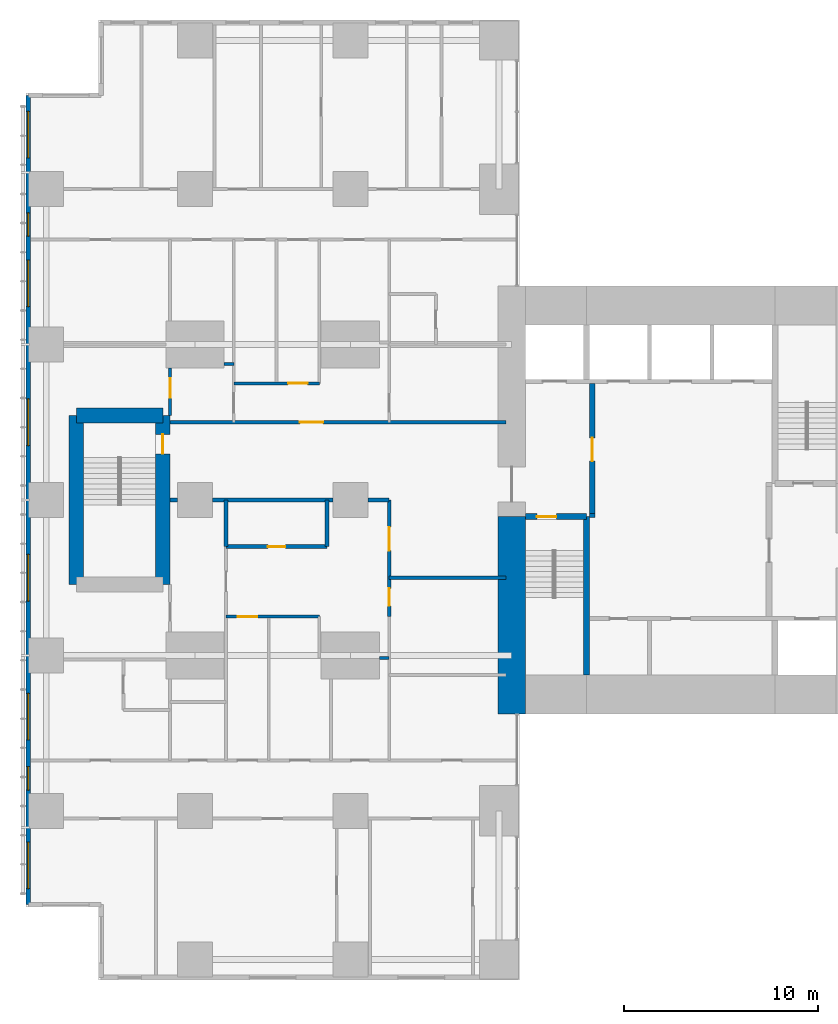
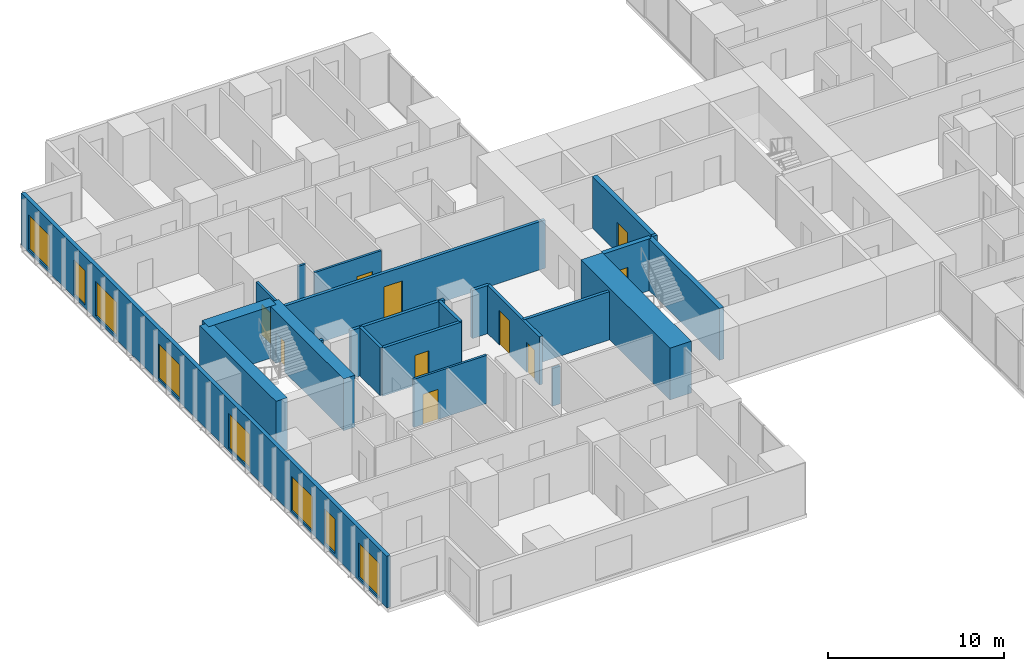
# One storey, part 13 of 20: 23 walls, 10 doors, 8 windows, 18 openings.
"""IFC4 building model written with IfcOpenShell, lengths in metres."""

from ifc_helpers import new_model, si_unit, direction, frame, frame_2d, origin, place, context, subcontext, project, spatial, rectangle, extrude, material, layer, layer_set, type_object, element, fill, save


model = new_model("IFC4")

# Units and contexts
model_context = context("Model", 3, precision=1e-05, world=origin(), true_north=direction((0.0, 1.0)))
body_context = subcontext(model_context, "Body", "Model", "MODEL_VIEW")
ifc_project = project(units=[si_unit("LENGTHUNIT", "METRE"), si_unit("AREAUNIT", "SQUARE_METRE"), si_unit("VOLUMEUNIT", "CUBIC_METRE"), si_unit("PLANEANGLEUNIT", "RADIAN"), si_unit("MASSUNIT", "GRAM", prefix="KILO")], contexts=[model_context])

# Site, building, storey
site_placement = place(None, origin())
site = spatial("IfcSite", under=ifc_project, at=site_placement, CompositionType="ELEMENT")
building_placement = place(site_placement, origin())
building = spatial("IfcBuilding", under=site, at=building_placement, Name="Cleftline Residences", CompositionType="ELEMENT")
storey_placement = place(building_placement, frame((0.0, 0.0, 185.800048828125)))
storey = spatial("IfcBuildingStorey", under=building, at=storey_placement, Name="L48", CompositionType="ELEMENT", Elevation=185.800048828125)

# Walls
ifc_material_1 = material(Name="Concrete B70", Category="concrete")
ifc_layer_1 = layer(ifc_material_1, 1.39990234375)
ifc_layer_set_1 = layer_set([ifc_layer_1], Name="CORE WALL 1400")
wall_type_1 = type_object("IfcWallType", Name="CORE WALL 1400", PredefinedType="SHEAR", material=ifc_layer_set_1)
wall_1_placement = place(storey_placement, frame((24.300048828125, 13.0, 0.0), z_axis=(0.0, 0.0, 1.0), x_axis=(0.0, 1.0, 0.0)))
element("IfcWall", 1, at=wall_1_placement, inside=storey, type_object=wall_type_1, Name="Core wall W0", PredefinedType="SHEAR", context=body_context, shape_type="SweptSolid", body=[
    extrude(rectangle(XDim=10.14990234375, YDim=1.39990234375, at=frame_2d((5.074951171875, 0.0))), origin(), (0.0, 0.0, 1.0), 3.599853515625),
])
ifc_material_2 = material(Name="Concrete B70", Category="concrete")
ifc_layer_2 = layer(ifc_material_2, 0.300048828125)
ifc_layer_set_2 = layer_set([ifc_layer_2], Name="CORE WALL 300")
wall_type_2 = type_object("IfcWallType", Name="CORE WALL 300", PredefinedType="SHEAR", material=ifc_layer_set_2)
wall_2_placement = place(storey_placement, frame((28.14990234375, 15.0, 0.0), z_axis=(0.0, 0.0, 1.0), x_axis=(0.0, 1.0, 0.0)))
element("IfcWall", 2, at=wall_2_placement, inside=storey, type_object=wall_type_2, Name="Core wall SA-E", PredefinedType="SHEAR", context=body_context, shape_type="SweptSolid", body=[
    extrude(rectangle(XDim=8.14990234375, YDim=0.300048828125, at=frame_2d((4.074951171875, 0.0))), origin(), (0.0, 0.0, 1.0), 3.599853515625),
])

# Wall, opening, door
wall_3_placement = place(storey_placement, frame((25.0, 23.14990234375, 0.0), z_axis=(0.0, 0.0, 1.0), x_axis=(1.0, 0.0, 0.0)))
wall_3 = element("IfcWall", 3, at=wall_3_placement, inside=storey, type_object=wall_type_2, Name="Core wall SA-N", PredefinedType="SHEAR", context=body_context, shape_type="SweptSolid", body=[
    extrude(rectangle(XDim=3.14990234375, YDim=0.300048828125, at=frame_2d((1.574951171875, 0.0))), origin(), (0.0, 0.0, 1.0), 3.599853515625),
])
opening_1_placement = place(wall_3_placement, frame((0.60009765625, 0.0, 0.0)))
opening_1 = element("IfcOpeningElement", 4, at=opening_1_placement, cuts=wall_3, Name="Opening D5", PredefinedType="OPENING", context=body_context, shape_type="SweptSolid", body=[
    extrude(rectangle(XDim=1.0, YDim=2.10009765625, at=frame_2d((0.5, 1.050048828125))), frame((0.0, 0.159912109375, 0.0), z_axis=(0.0, -1.0, 0.0), x_axis=(1.0, 0.0, 0.0)), (0.0, 0.0, 1.0), 0.320068359375),
])
ifc_material_3 = material(Name="Steel", Category="steel")
door_type_1 = type_object("IfcDoorType", Name="STAIR DOOR 1000X2100", OperationType="SINGLE_SWING_LEFT", PredefinedType="DOOR", material=ifc_material_3)
door_1_placement = place(opening_1_placement, origin())
door_1 = element("IfcDoor", 5, at=door_1_placement, inside=storey, type_object=door_type_1, Name="Stair A door", OperationType="SINGLE_SWING_RIGHT", OverallHeight=2.10009765625, OverallWidth=1.0, PredefinedType="DOOR", context=body_context, shape_type="SweptSolid", body=[
    extrude(rectangle(XDim=1.0, YDim=2.10009765625, at=frame_2d((0.5, 1.050048828125))), frame((0.0, 0.02490234375, 0.0), z_axis=(0.0, -1.0, 0.0), x_axis=(1.0, 0.0, 0.0)), (0.0, 0.0, 1.0), 0.050048828125),
])
fill(opening_1, door_1)

# Wall, openings, windows
ifc_material_4 = material(Name="Rendered reinforced concrete blockwork", Category="masonry")
ifc_layer_3 = layer(ifc_material_4, 0.25)
ifc_layer_set_3 = layer_set([ifc_layer_3], Name="EXTERNAL WALL 250")
wall_type_3 = type_object("IfcWallType", Name="EXTERNAL WALL 250", PredefinedType="SOLIDWALL", material=ifc_layer_set_3)
wall_4_placement = place(storey_placement, frame((-0.574951171875, 44.824951171875, 0.0), z_axis=(0.0, 0.0, 1.0), x_axis=(0.0, -1.0, 0.0)))
wall_4 = element("IfcWall", 6, at=wall_4_placement, inside=storey, type_object=wall_type_3, Name="External wall", PredefinedType="SOLIDWALL", context=body_context, shape_type="SweptSolid", body=[
    extrude(rectangle(XDim=41.64990234375, YDim=0.25, at=frame_2d((20.824951171875, 0.0))), origin(), (0.0, 0.0, 1.0), 3.599853515625),
])
opening_2_placement = place(wall_4_placement, frame((0.824951171875, 0.0, 0.199951171875)))
opening_2 = element("IfcOpeningElement", 7, at=opening_2_placement, cuts=wall_4, Name="Opening W9", PredefinedType="OPENING", context=body_context, shape_type="SweptSolid", body=[
    extrude(rectangle(XDim=2.39990234375, YDim=2.39990234375, at=frame_2d((1.199951171875, 1.199951171875))), frame((0.0, 0.135009765625, 0.0), z_axis=(0.0, -1.0, 0.0), x_axis=(1.0, 0.0, 0.0)), (0.0, 0.0, 1.0), 0.27001953125),
])
opening_3_placement = place(wall_4_placement, frame((6.050048828125, 0.0, 0.199951171875)))
opening_3 = element("IfcOpeningElement", 8, at=opening_3_placement, cuts=wall_4, Name="Opening W13", PredefinedType="OPENING", context=body_context, shape_type="SweptSolid", body=[
    extrude(rectangle(XDim=1.199951171875, YDim=2.39990234375, at=frame_2d((0.60009765625, 1.199951171875))), frame((0.0, 0.135009765625, 0.0), z_axis=(0.0, -1.0, 0.0), x_axis=(1.0, 0.0, 0.0)), (0.0, 0.0, 1.0), 0.27001953125),
])
opening_4_placement = place(wall_4_placement, frame((8.47509765625, 0.0, 0.199951171875)))
opening_4 = element("IfcOpeningElement", 9, at=opening_4_placement, cuts=wall_4, Name="Opening W9", PredefinedType="OPENING", context=body_context, shape_type="SweptSolid", body=[
    extrude(rectangle(XDim=2.39990234375, YDim=2.39990234375, at=frame_2d((1.199951171875, 1.199951171875))), frame((0.0, 0.135009765625, 0.0), z_axis=(0.0, -1.0, 0.0), x_axis=(1.0, 0.0, 0.0)), (0.0, 0.0, 1.0), 0.27001953125),
])
opening_5_placement = place(wall_4_placement, frame((15.625, 0.0, 0.199951171875)))
opening_5 = element("IfcOpeningElement", 10, at=opening_5_placement, cuts=wall_4, Name="Opening W9", PredefinedType="OPENING", context=body_context, shape_type="SweptSolid", body=[
    extrude(rectangle(XDim=2.39990234375, YDim=2.39990234375, at=frame_2d((1.199951171875, 1.199951171875))), frame((0.0, 0.135009765625, 0.0), z_axis=(0.0, -1.0, 0.0), x_axis=(1.0, 0.0, 0.0)), (0.0, 0.0, 1.0), 0.27001953125),
])
opening_6_placement = place(wall_4_placement, frame((23.625, 0.0, 0.199951171875)))
opening_6 = element("IfcOpeningElement", 11, at=opening_6_placement, cuts=wall_4, Name="Opening W9", PredefinedType="OPENING", context=body_context, shape_type="SweptSolid", body=[
    extrude(rectangle(XDim=2.39990234375, YDim=2.39990234375, at=frame_2d((1.199951171875, 1.199951171875))), frame((0.0, 0.135009765625, 0.0), z_axis=(0.0, -1.0, 0.0), x_axis=(1.0, 0.0, 0.0)), (0.0, 0.0, 1.0), 0.27001953125),
])
opening_7_placement = place(wall_4_placement, frame((30.77490234375, 0.0, 0.199951171875)))
opening_7 = element("IfcOpeningElement", 12, at=opening_7_placement, cuts=wall_4, Name="Opening W9", PredefinedType="OPENING", context=body_context, shape_type="SweptSolid", body=[
    extrude(rectangle(XDim=2.39990234375, YDim=2.39990234375, at=frame_2d((1.199951171875, 1.199951171875))), frame((0.0, 0.135009765625, 0.0), z_axis=(0.0, -1.0, 0.0), x_axis=(1.0, 0.0, 0.0)), (0.0, 0.0, 1.0), 0.27001953125),
])
opening_8_placement = place(wall_4_placement, frame((34.550048828125, 0.0, 0.199951171875)))
opening_8 = element("IfcOpeningElement", 13, at=opening_8_placement, cuts=wall_4, Name="Opening W13", PredefinedType="OPENING", context=body_context, shape_type="SweptSolid", body=[
    extrude(rectangle(XDim=1.199951171875, YDim=2.39990234375, at=frame_2d((0.60009765625, 1.199951171875))), frame((0.0, 0.135009765625, 0.0), z_axis=(0.0, -1.0, 0.0), x_axis=(1.0, 0.0, 0.0)), (0.0, 0.0, 1.0), 0.27001953125),
])
opening_9_placement = place(wall_4_placement, frame((38.425048828125, 0.0, 0.199951171875)))
opening_9 = element("IfcOpeningElement", 14, at=opening_9_placement, cuts=wall_4, Name="Opening W9", PredefinedType="OPENING", context=body_context, shape_type="SweptSolid", body=[
    extrude(rectangle(XDim=2.39990234375, YDim=2.39990234375, at=frame_2d((1.199951171875, 1.199951171875))), frame((0.0, 0.135009765625, 0.0), z_axis=(0.0, -1.0, 0.0), x_axis=(1.0, 0.0, 0.0)), (0.0, 0.0, 1.0), 0.27001953125),
])
ifc_material_5 = material(Name="Aluminium frame, clear double glazing", Category="aluminium")
window_type_1 = type_object("IfcWindowType", Name="WINDOW 1200X2400", PartitioningType="DOUBLE_PANEL_VERTICAL", PredefinedType="WINDOW", material=ifc_material_5)
window_1_placement = place(opening_3_placement, origin())
window_1 = element("IfcWindow", 15, at=window_1_placement, inside=storey, type_object=window_type_1, Name="Window", OverallHeight=2.39990234375, OverallWidth=1.199951171875, PartitioningType="SINGLE_PANEL", PredefinedType="WINDOW", context=body_context, shape_type="SweptSolid", body=[
    extrude(rectangle(XDim=1.199951171875, YDim=2.39990234375, at=frame_2d((0.60009765625, 1.199951171875))), frame((0.0, 0.030029296875, 0.0), z_axis=(0.0, -1.0, 0.0), x_axis=(1.0, 0.0, 0.0)), (0.0, 0.0, 1.0), 0.06005859375),
])
fill(opening_3, window_1)
window_2_placement = place(opening_8_placement, origin())
window_2 = element("IfcWindow", 16, at=window_2_placement, inside=storey, type_object=window_type_1, Name="Window", OverallHeight=2.39990234375, OverallWidth=1.199951171875, PartitioningType="SINGLE_PANEL", PredefinedType="WINDOW", context=body_context, shape_type="SweptSolid", body=[
    extrude(rectangle(XDim=1.199951171875, YDim=2.39990234375, at=frame_2d((0.60009765625, 1.199951171875))), frame((0.0, 0.030029296875, 0.0), z_axis=(0.0, -1.0, 0.0), x_axis=(1.0, 0.0, 0.0)), (0.0, 0.0, 1.0), 0.06005859375),
])
fill(opening_8, window_2)
ifc_material_6 = material(Name="Aluminium frame, clear double glazing", Category="aluminium")
window_type_2 = type_object("IfcWindowType", Name="WINDOW 2400X2400", PartitioningType="DOUBLE_PANEL_VERTICAL", PredefinedType="WINDOW", material=ifc_material_6)
window_3_placement = place(opening_2_placement, origin())
window_3 = element("IfcWindow", 17, at=window_3_placement, inside=storey, type_object=window_type_2, Name="Window", OverallHeight=2.39990234375, OverallWidth=2.39990234375, PartitioningType="SINGLE_PANEL", PredefinedType="WINDOW", context=body_context, shape_type="SweptSolid", body=[
    extrude(rectangle(XDim=2.39990234375, YDim=2.39990234375, at=frame_2d((1.199951171875, 1.199951171875))), frame((0.0, 0.030029296875, 0.0), z_axis=(0.0, -1.0, 0.0), x_axis=(1.0, 0.0, 0.0)), (0.0, 0.0, 1.0), 0.06005859375),
])
fill(opening_2, window_3)
window_4_placement = place(opening_4_placement, origin())
window_4 = element("IfcWindow", 18, at=window_4_placement, inside=storey, type_object=window_type_2, Name="Window", OverallHeight=2.39990234375, OverallWidth=2.39990234375, PartitioningType="SINGLE_PANEL", PredefinedType="WINDOW", context=body_context, shape_type="SweptSolid", body=[
    extrude(rectangle(XDim=2.39990234375, YDim=2.39990234375, at=frame_2d((1.199951171875, 1.199951171875))), frame((0.0, 0.030029296875, 0.0), z_axis=(0.0, -1.0, 0.0), x_axis=(1.0, 0.0, 0.0)), (0.0, 0.0, 1.0), 0.06005859375),
])
fill(opening_4, window_4)
window_5_placement = place(opening_5_placement, origin())
window_5 = element("IfcWindow", 19, at=window_5_placement, inside=storey, type_object=window_type_2, Name="Window", OverallHeight=2.39990234375, OverallWidth=2.39990234375, PartitioningType="SINGLE_PANEL", PredefinedType="WINDOW", context=body_context, shape_type="SweptSolid", body=[
    extrude(rectangle(XDim=2.39990234375, YDim=2.39990234375, at=frame_2d((1.199951171875, 1.199951171875))), frame((0.0, 0.030029296875, 0.0), z_axis=(0.0, -1.0, 0.0), x_axis=(1.0, 0.0, 0.0)), (0.0, 0.0, 1.0), 0.06005859375),
])
fill(opening_5, window_5)
window_6_placement = place(opening_6_placement, origin())
window_6 = element("IfcWindow", 20, at=window_6_placement, inside=storey, type_object=window_type_2, Name="Window", OverallHeight=2.39990234375, OverallWidth=2.39990234375, PartitioningType="SINGLE_PANEL", PredefinedType="WINDOW", context=body_context, shape_type="SweptSolid", body=[
    extrude(rectangle(XDim=2.39990234375, YDim=2.39990234375, at=frame_2d((1.199951171875, 1.199951171875))), frame((0.0, 0.030029296875, 0.0), z_axis=(0.0, -1.0, 0.0), x_axis=(1.0, 0.0, 0.0)), (0.0, 0.0, 1.0), 0.06005859375),
])
fill(opening_6, window_6)
window_7_placement = place(opening_7_placement, origin())
window_7 = element("IfcWindow", 21, at=window_7_placement, inside=storey, type_object=window_type_2, Name="Window", OverallHeight=2.39990234375, OverallWidth=2.39990234375, PartitioningType="SINGLE_PANEL", PredefinedType="WINDOW", context=body_context, shape_type="SweptSolid", body=[
    extrude(rectangle(XDim=2.39990234375, YDim=2.39990234375, at=frame_2d((1.199951171875, 1.199951171875))), frame((0.0, 0.030029296875, 0.0), z_axis=(0.0, -1.0, 0.0), x_axis=(1.0, 0.0, 0.0)), (0.0, 0.0, 1.0), 0.06005859375),
])
fill(opening_7, window_7)
window_8_placement = place(opening_9_placement, origin())
window_8 = element("IfcWindow", 22, at=window_8_placement, inside=storey, type_object=window_type_2, Name="Window", OverallHeight=2.39990234375, OverallWidth=2.39990234375, PartitioningType="SINGLE_PANEL", PredefinedType="WINDOW", context=body_context, shape_type="SweptSolid", body=[
    extrude(rectangle(XDim=2.39990234375, YDim=2.39990234375, at=frame_2d((1.199951171875, 1.199951171875))), frame((0.0, 0.030029296875, 0.0), z_axis=(0.0, -1.0, 0.0), x_axis=(1.0, 0.0, 0.0)), (0.0, 0.0, 1.0), 0.06005859375),
])
fill(opening_9, window_8)

# Wall
ifc_material_7 = material(Name="Concrete blockwork, fire rated", Category="masonry")
ifc_layer_4 = layer(ifc_material_7, 0.199951171875)
ifc_layer_set_4 = layer_set([ifc_layer_4], Name="FIRE WALL 200")
wall_type_4 = type_object("IfcWallType", Name="FIRE WALL 200", PredefinedType="PARTITIONING", material=ifc_layer_set_4)
wall_5_placement = place(storey_placement, frame((18.0, 20.0, 0.0), z_axis=(0.0, 0.0, 1.0), x_axis=(1.0, 0.0, 0.0)))
element("IfcWall", 23, at=wall_5_placement, inside=storey, type_object=wall_type_4, Name="Fire separating wall", PredefinedType="PARTITIONING", context=body_context, shape_type="SweptSolid", body=[
    extrude(rectangle(XDim=6.0, YDim=0.199951171875, at=frame_2d((3.0, 0.0))), origin(), (0.0, 0.0, 1.0), 3.349853515625),
])

# Wall, opening, door
wall_6_placement = place(storey_placement, frame((9.60009765625, 21.60009765625, 0.0), z_axis=(0.0, 0.0, 1.0), x_axis=(1.0, 0.0, 0.0)))
wall_6 = element("IfcWall", 24, at=wall_6_placement, inside=storey, type_object=wall_type_4, Name="Fire separating wall", PredefinedType="PARTITIONING", context=body_context, shape_type="SweptSolid", body=[
    extrude(rectangle(XDim=5.199951171875, YDim=0.199951171875, at=frame_2d((2.60009765625, 0.0))), origin(), (0.0, 0.0, 1.0), 3.349853515625),
])
opening_10_placement = place(wall_6_placement, frame((2.14990234375, 0.0, 0.0)))
opening_10 = element("IfcOpeningElement", 25, at=opening_10_placement, cuts=wall_6, Name="Opening D1F30", PredefinedType="OPENING", context=body_context, shape_type="SweptSolid", body=[
    extrude(rectangle(XDim=0.89990234375, YDim=2.10009765625, at=frame_2d((0.449951171875, 1.050048828125))), frame((0.0, 0.10986328125, 0.0), z_axis=(0.0, -1.0, 0.0), x_axis=(1.0, 0.0, 0.0)), (0.0, 0.0, 1.0), 0.219970703125),
])
ifc_material_8 = material(Name="Timber veneer on solid core", Category="wood")
door_type_2 = type_object("IfcDoorType", Name="DOOR 900X2100 EI 30", OperationType="SINGLE_SWING_LEFT", PredefinedType="DOOR", material=ifc_material_8)
door_2_placement = place(opening_10_placement, origin())
door_2 = element("IfcDoor", 26, at=door_2_placement, inside=storey, type_object=door_type_2, Name="Door to cloakroom wc", OperationType="SINGLE_SWING_LEFT", OverallHeight=2.10009765625, OverallWidth=0.89990234375, PredefinedType="DOOR", context=body_context, shape_type="SweptSolid", body=[
    extrude(rectangle(XDim=0.89990234375, YDim=2.10009765625, at=frame_2d((0.449951171875, 1.050048828125))), frame((0.0, 0.02490234375, 0.0), z_axis=(0.0, -1.0, 0.0), x_axis=(1.0, 0.0, 0.0)), (0.0, 0.0, 1.0), 0.050048828125),
])
fill(opening_10, door_2)

# Walls
wall_7_placement = place(storey_placement, frame((6.72509765625, 24.0, 0.0), z_axis=(0.0, 0.0, 1.0), x_axis=(1.0, 0.0, 0.0)))
element("IfcWall", 27, at=wall_7_placement, inside=storey, type_object=wall_type_4, Name="Fire separating wall", PredefinedType="PARTITIONING", context=body_context, shape_type="SweptSolid", body=[
    extrude(rectangle(XDim=0.375, YDim=0.199951171875, at=frame_2d((0.1875, 0.0))), origin(), (0.0, 0.0, 1.0), 3.349853515625),
])
wall_8_placement = place(storey_placement, frame((8.89990234375, 24.0, 0.0), z_axis=(0.0, 0.0, 1.0), x_axis=(1.0, 0.0, 0.0)))
element("IfcWall", 28, at=wall_8_placement, inside=storey, type_object=wall_type_4, Name="Fire separating wall", PredefinedType="PARTITIONING", context=body_context, shape_type="SweptSolid", body=[
    extrude(rectangle(XDim=6.2001953125, YDim=0.199951171875, at=frame_2d((3.10009765625, 0.0))), origin(), (0.0, 0.0, 1.0), 3.349853515625),
])
wall_9_placement = place(storey_placement, frame((16.89990234375, 24.0, 0.0), z_axis=(0.0, 0.0, 1.0), x_axis=(1.0, 0.0, 0.0)))
element("IfcWall", 29, at=wall_9_placement, inside=storey, type_object=wall_type_4, Name="Fire separating wall", PredefinedType="PARTITIONING", context=body_context, shape_type="SweptSolid", body=[
    extrude(rectangle(XDim=1.10009765625, YDim=0.199951171875, at=frame_2d((0.550048828125, 0.0))), origin(), (0.0, 0.0, 1.0), 3.349853515625),
])

# Wall, opening, door
wall_10_placement = place(storey_placement, frame((6.72509765625, 28.0, 0.0), z_axis=(0.0, 0.0, 1.0), x_axis=(1.0, 0.0, 0.0)))
wall_10 = element("IfcWall", 30, at=wall_10_placement, inside=storey, type_object=wall_type_4, Name="Fire separating wall", PredefinedType="PARTITIONING", context=body_context, shape_type="SweptSolid", body=[
    extrude(rectangle(XDim=17.27490234375, YDim=0.199951171875, at=frame_2d((8.637451171875, 0.0))), origin(), (0.0, 0.0, 1.0), 3.349853515625),
])
opening_11_placement = place(wall_10_placement, frame((6.675048828125, 0.0, 0.0)))
opening_11 = element("IfcOpeningElement", 31, at=opening_11_placement, cuts=wall_10, Name="Opening D4", PredefinedType="OPENING", context=body_context, shape_type="SweptSolid", body=[
    extrude(rectangle(XDim=1.199951171875, YDim=2.39990234375, at=frame_2d((0.60009765625, 1.199951171875))), frame((0.0, 0.10986328125, 0.0), z_axis=(0.0, -1.0, 0.0), x_axis=(1.0, 0.0, 0.0)), (0.0, 0.0, 1.0), 0.219970703125),
])
ifc_material_9 = material(Name="Timber veneer on solid core", Category="wood")
door_type_3 = type_object("IfcDoorType", Name="APARTMENT ENTRANCE DOOR 1200X2400", OperationType="SINGLE_SWING_RIGHT", PredefinedType="DOOR", material=ifc_material_9)
door_3_placement = place(opening_11_placement, origin())
door_3 = element("IfcDoor", 32, at=door_3_placement, inside=storey, type_object=door_type_3, Name="Door to residence entrance (gallery)", OperationType="SINGLE_SWING_RIGHT", OverallHeight=2.39990234375, OverallWidth=1.199951171875, PredefinedType="DOOR", context=body_context, shape_type="SweptSolid", body=[
    extrude(rectangle(XDim=1.199951171875, YDim=2.39990234375, at=frame_2d((0.60009765625, 1.199951171875))), frame((0.0, 0.02490234375, 0.0), z_axis=(0.0, -1.0, 0.0), x_axis=(1.0, 0.0, 0.0)), (0.0, 0.0, 1.0), 0.050048828125),
])
fill(opening_11, door_3)

# Walls
for number, where, z_axis, x_axis, name in (
    (33, (9.60009765625, 21.60009765625, 0.0), (0.0, 0.0, 1.0), (0.0, 1.0, 0.0), "Fire separating wall"),
    (34, (14.800048828125, 21.60009765625, 0.0), (0.0, 0.0, 1.0), (0.0, 1.0, 0.0), "Fire separating wall"),
):
    element("IfcWall", number, at=place(storey_placement, frame(where, z_axis=z_axis, x_axis=x_axis)), inside=storey, type_object=wall_type_4, Name=name, PredefinedType="PARTITIONING", context=body_context, shape_type="SweptSolid", body=[
        extrude(rectangle(XDim=2.39990234375, YDim=0.199951171875, at=frame_2d((1.199951171875, 0.0))), origin(), (0.0, 0.0, 1.0), 3.349853515625),
    ])

# Wall, openings, doors
wall_11_placement = place(storey_placement, frame((18.0, 18.0, 0.0), z_axis=(0.0, 0.0, 1.0), x_axis=(0.0, 1.0, 0.0)))
wall_11 = element("IfcWall", 35, at=wall_11_placement, inside=storey, type_object=wall_type_4, Name="Fire separating wall", PredefinedType="PARTITIONING", context=body_context, shape_type="SweptSolid", body=[
    extrude(rectangle(XDim=6.0, YDim=0.199951171875, at=frame_2d((3.0, 0.0))), origin(), (0.0, 0.0, 1.0), 3.349853515625),
])
opening_12_placement = place(wall_11_placement, frame((3.39990234375, 0.0, 0.0)))
opening_12 = element("IfcOpeningElement", 36, at=opening_12_placement, cuts=wall_11, Name="Opening D4", PredefinedType="OPENING", context=body_context, shape_type="SweptSolid", body=[
    extrude(rectangle(XDim=1.199951171875, YDim=2.39990234375, at=frame_2d((0.60009765625, 1.199951171875))), frame((0.0, 0.10986328125, 0.0), z_axis=(0.0, -1.0, 0.0), x_axis=(1.0, 0.0, 0.0)), (0.0, 0.0, 1.0), 0.219970703125),
])
opening_13_placement = place(wall_11_placement, frame((0.550048828125, 0.0, 0.0)))
opening_13 = element("IfcOpeningElement", 37, at=opening_13_placement, cuts=wall_11, Name="Opening D1F30", PredefinedType="OPENING", context=body_context, shape_type="SweptSolid", body=[
    extrude(rectangle(XDim=0.89990234375, YDim=2.10009765625, at=frame_2d((0.449951171875, 1.050048828125))), frame((0.0, 0.10986328125, 0.0), z_axis=(0.0, -1.0, 0.0), x_axis=(1.0, 0.0, 0.0)), (0.0, 0.0, 1.0), 0.219970703125),
])
door_4_placement = place(opening_12_placement, origin())
door_4 = element("IfcDoor", 38, at=door_4_placement, inside=storey, type_object=door_type_3, Name="Door to residence entrance foyer", OperationType="SINGLE_SWING_LEFT", OverallHeight=2.39990234375, OverallWidth=1.199951171875, PredefinedType="DOOR", context=body_context, shape_type="SweptSolid", body=[
    extrude(rectangle(XDim=1.199951171875, YDim=2.39990234375, at=frame_2d((0.60009765625, 1.199951171875))), frame((0.0, 0.02490234375, 0.0), z_axis=(0.0, -1.0, 0.0), x_axis=(1.0, 0.0, 0.0)), (0.0, 0.0, 1.0), 0.050048828125),
])
fill(opening_12, door_4)
door_5_placement = place(opening_13_placement, origin())
door_5 = element("IfcDoor", 39, at=door_5_placement, inside=storey, type_object=door_type_2, Name="Door to utility room", OperationType="SINGLE_SWING_RIGHT", OverallHeight=2.10009765625, OverallWidth=0.89990234375, PredefinedType="DOOR", context=body_context, shape_type="SweptSolid", body=[
    extrude(rectangle(XDim=0.89990234375, YDim=2.10009765625, at=frame_2d((0.449951171875, 1.050048828125))), frame((0.0, 0.02490234375, 0.0), z_axis=(0.0, -1.0, 0.0), x_axis=(1.0, 0.0, 0.0)), (0.0, 0.0, 1.0), 0.050048828125),
])
fill(opening_13, door_5)

# Walls
wall_12_placement = place(storey_placement, frame((28.300048828125, 23.199951171875, 0.0), z_axis=(0.0, 0.0, 1.0), x_axis=(1.0, 0.0, 0.0)))
element("IfcWall", 40, at=wall_12_placement, inside=storey, type_object=wall_type_4, Name="Fire separating wall", PredefinedType="PARTITIONING", context=body_context, shape_type="SweptSolid", body=[
    extrude(rectangle(XDim=0.300048828125, YDim=0.199951171875, at=frame_2d((0.14990234375, 0.0))), origin(), (0.0, 0.0, 1.0), 3.599853515625),
])
ifc_material_10 = material(Name="Gypsum board on steel studs", Category="steel")
ifc_layer_5 = layer(ifc_material_10, 0.14990234375)
ifc_layer_set_5 = layer_set([ifc_layer_5], Name="PARTITION 150")
wall_type_5 = type_object("IfcWallType", Name="PARTITION 150", PredefinedType="PARTITIONING", material=ifc_layer_set_5)
wall_13_placement = place(storey_placement, frame((17.5, 15.875, 0.0), z_axis=(0.0, 0.0, 1.0), x_axis=(1.0, 0.0, 0.0)))
element("IfcWall", 41, at=wall_13_placement, inside=storey, type_object=wall_type_5, Name="Partition", PredefinedType="PARTITIONING", context=body_context, shape_type="SweptSolid", body=[
    extrude(rectangle(XDim=0.5, YDim=0.14990234375, at=frame_2d((0.25, 0.0))), origin(), (0.0, 0.0, 1.0), 2.634033203125),
])

# Wall, opening, door
wall_14_placement = place(storey_placement, frame((9.60009765625, 18.0, 0.0), z_axis=(0.0, 0.0, 1.0), x_axis=(1.0, 0.0, 0.0)))
wall_14 = element("IfcWall", 42, at=wall_14_placement, inside=storey, type_object=wall_type_5, Name="Partition", PredefinedType="PARTITIONING", context=body_context, shape_type="SweptSolid", body=[
    extrude(rectangle(XDim=4.7998046875, YDim=0.14990234375, at=frame_2d((2.39990234375, 0.0))), origin(), (0.0, 0.0, 1.0), 3.349853515625),
])
opening_14_placement = place(wall_14_placement, frame((0.60009765625, 0.0, 0.0)))
opening_14 = element("IfcOpeningElement", 43, at=opening_14_placement, cuts=wall_14, Name="Opening D2", PredefinedType="OPENING", context=body_context, shape_type="SweptSolid", body=[
    extrude(rectangle(XDim=1.0, YDim=2.10009765625, at=frame_2d((0.5, 1.050048828125))), frame((0.0, 0.0849609375, 0.0), z_axis=(0.0, -1.0, 0.0), x_axis=(1.0, 0.0, 0.0)), (0.0, 0.0, 1.0), 0.169921875),
])
ifc_material_11 = material(Name="Timber veneer on solid core", Category="wood")
door_type_4 = type_object("IfcDoorType", Name="DOOR 1000X2100", OperationType="SINGLE_SWING_LEFT", PredefinedType="DOOR", material=ifc_material_11)
door_6_placement = place(opening_14_placement, origin())
door_6 = element("IfcDoor", 44, at=door_6_placement, inside=storey, type_object=door_type_4, Name="Door to residence passage", OperationType="SINGLE_SWING_RIGHT", OverallHeight=2.10009765625, OverallWidth=1.0, PredefinedType="DOOR", context=body_context, shape_type="SweptSolid", body=[
    extrude(rectangle(XDim=1.0, YDim=2.10009765625, at=frame_2d((0.5, 1.050048828125))), frame((0.0, 0.02490234375, 0.0), z_axis=(0.0, -1.0, 0.0), x_axis=(1.0, 0.0, 0.0)), (0.0, 0.0, 1.0), 0.050048828125),
])
fill(opening_14, door_6)

wall_15_placement = place(storey_placement, frame((10.0, 30.0, 0.0), z_axis=(0.0, 0.0, 1.0), x_axis=(1.0, 0.0, 0.0)))
wall_15 = element("IfcWall", 45, at=wall_15_placement, inside=storey, type_object=wall_type_5, Name="Partition", PredefinedType="PARTITIONING", context=body_context, shape_type="SweptSolid", body=[
    extrude(rectangle(XDim=4.39990234375, YDim=0.14990234375, at=frame_2d((2.199951171875, 0.0))), origin(), (0.0, 0.0, 1.0), 3.349853515625),
])
opening_15_placement = place(wall_15_placement, frame((2.800048828125, 0.0, 0.0)))
opening_15 = element("IfcOpeningElement", 46, at=opening_15_placement, cuts=wall_15, Name="Opening D2", PredefinedType="OPENING", context=body_context, shape_type="SweptSolid", body=[
    extrude(rectangle(XDim=1.0, YDim=2.10009765625, at=frame_2d((0.5, 1.050048828125))), frame((0.0, 0.0849609375, 0.0), z_axis=(0.0, -1.0, 0.0), x_axis=(1.0, 0.0, 0.0)), (0.0, 0.0, 1.0), 0.169921875),
])
door_7_placement = place(opening_15_placement, origin())
door_7 = element("IfcDoor", 47, at=door_7_placement, inside=storey, type_object=door_type_4, Name="Door to residence passage", OperationType="SINGLE_SWING_LEFT", OverallHeight=2.10009765625, OverallWidth=1.0, PredefinedType="DOOR", context=body_context, shape_type="SweptSolid", body=[
    extrude(rectangle(XDim=1.0, YDim=2.10009765625, at=frame_2d((0.5, 1.050048828125))), frame((0.0, 0.02490234375, 0.0), z_axis=(0.0, -1.0, 0.0), x_axis=(1.0, 0.0, 0.0)), (0.0, 0.0, 1.0), 0.050048828125),
])
fill(opening_15, door_7)

# Wall
wall_16_placement = place(storey_placement, frame((9.5, 31.0, 0.0), z_axis=(0.0, 0.0, 1.0), x_axis=(1.0, 0.0, 0.0)))
element("IfcWall", 48, at=wall_16_placement, inside=storey, type_object=wall_type_5, Name="Partition", PredefinedType="PARTITIONING", context=body_context, shape_type="SweptSolid", body=[
    extrude(rectangle(XDim=0.5, YDim=0.14990234375, at=frame_2d((0.25, 0.0))), origin(), (0.0, 0.0, 1.0), 3.349853515625),
])

# Wall, opening, door
wall_17_placement = place(storey_placement, frame((6.72509765625, 28.35009765625, 0.0), z_axis=(0.0, 0.0, 1.0), x_axis=(0.0, 1.0, 0.0)))
wall_17 = element("IfcWall", 49, at=wall_17_placement, inside=storey, type_object=wall_type_5, Name="Partition", PredefinedType="PARTITIONING", context=body_context, shape_type="SweptSolid", body=[
    extrude(rectangle(XDim=2.449951171875, YDim=0.14990234375, at=frame_2d((1.22509765625, 0.0))), origin(), (0.0, 0.0, 1.0), 3.349853515625),
])
opening_16_placement = place(wall_17_placement, frame((0.91259765625, 0.0, 0.0)))
opening_16 = element("IfcOpeningElement", 50, at=opening_16_placement, cuts=wall_17, Name="Opening D2", PredefinedType="OPENING", context=body_context, shape_type="SweptSolid", body=[
    extrude(rectangle(XDim=1.0, YDim=2.10009765625, at=frame_2d((0.5, 1.050048828125))), frame((0.0, 0.0849609375, 0.0), z_axis=(0.0, -1.0, 0.0), x_axis=(1.0, 0.0, 0.0)), (0.0, 0.0, 1.0), 0.169921875),
])
door_8_placement = place(opening_16_placement, origin())
door_8 = element("IfcDoor", 51, at=door_8_placement, inside=storey, type_object=door_type_4, Name="Door to staff bedroom", OperationType="SINGLE_SWING_LEFT", OverallHeight=2.10009765625, OverallWidth=1.0, PredefinedType="DOOR", context=body_context, shape_type="SweptSolid", body=[
    extrude(rectangle(XDim=1.0, YDim=2.10009765625, at=frame_2d((0.5, 1.050048828125))), frame((0.0, 0.02490234375, 0.0), z_axis=(0.0, -1.0, 0.0), x_axis=(1.0, 0.0, 0.0)), (0.0, 0.0, 1.0), 0.050048828125),
])
fill(opening_16, door_8)

ifc_material_12 = material(Name="Concrete B70", Category="concrete")
ifc_layer_6 = layer(ifc_material_12, 0.75)
ifc_layer_set_6 = layer_set([ifc_layer_6], Name="SHEAR WALL 750")
wall_type_6 = type_object("IfcWallType", Name="SHEAR WALL 750", PredefinedType="SHEAR", material=ifc_layer_set_6)
wall_18_placement = place(storey_placement, frame((6.35009765625, 19.64990234375, 0.0), z_axis=(0.0, 0.0, 1.0), x_axis=(0.0, 1.0, 0.0)))
wall_18 = element("IfcWall", 52, at=wall_18_placement, inside=storey, type_object=wall_type_6, Name="Wing shear wall", PredefinedType="SHEAR", context=body_context, shape_type="SweptSolid", body=[
    extrude(rectangle(XDim=8.7001953125, YDim=0.75, at=frame_2d((4.35009765625, 0.0))), origin(), (0.0, 0.0, 1.0), 3.599853515625),
])
opening_17_placement = place(wall_18_placement, frame((6.72509765625, 0.0, 0.0)))
opening_17 = element("IfcOpeningElement", 53, at=opening_17_placement, cuts=wall_18, Name="Opening D5", PredefinedType="OPENING", context=body_context, shape_type="SweptSolid", body=[
    extrude(rectangle(XDim=1.0, YDim=2.10009765625, at=frame_2d((0.5, 1.050048828125))), frame((0.0, 0.385009765625, 0.0), z_axis=(0.0, -1.0, 0.0), x_axis=(1.0, 0.0, 0.0)), (0.0, 0.0, 1.0), 0.77001953125),
])
door_9_placement = place(opening_17_placement, origin())
door_9 = element("IfcDoor", 54, at=door_9_placement, inside=storey, type_object=door_type_1, Name="Stair W door", OperationType="SINGLE_SWING_LEFT", OverallHeight=2.10009765625, OverallWidth=1.0, PredefinedType="DOOR", context=body_context, shape_type="SweptSolid", body=[
    extrude(rectangle(XDim=1.0, YDim=2.10009765625, at=frame_2d((0.5, 1.050048828125))), frame((0.0, 0.02490234375, 0.0), z_axis=(0.0, -1.0, 0.0), x_axis=(1.0, 0.0, 0.0)), (0.0, 0.0, 1.0), 0.050048828125),
])
fill(opening_17, door_9)

# Walls
wall_19_placement = place(storey_placement, frame((6.35009765625, 28.35009765625, 0.0), z_axis=(0.0, 0.0, 1.0), x_axis=(-1.0, 0.0, 0.0)))
element("IfcWall", 55, at=wall_19_placement, inside=storey, type_object=wall_type_6, Name="Wing shear wall", PredefinedType="SHEAR", context=body_context, shape_type="SweptSolid", body=[
    extrude(rectangle(XDim=4.4501953125, YDim=0.75, at=frame_2d((2.22509765625, 0.0))), origin(), (0.0, 0.0, 1.0), 3.599853515625),
])
wall_20_placement = place(storey_placement, frame((1.89990234375, 28.35009765625, 0.0), z_axis=(0.0, 0.0, 1.0), x_axis=(0.0, -1.0, 0.0)))
element("IfcWall", 56, at=wall_20_placement, inside=storey, type_object=wall_type_6, Name="Wing shear wall", PredefinedType="SHEAR", context=body_context, shape_type="SweptSolid", body=[
    extrude(rectangle(XDim=8.7001953125, YDim=0.75, at=frame_2d((4.35009765625, 0.0))), origin(), (0.0, 0.0, 1.0), 3.599853515625),
])

# Wall, opening, door
ifc_material_13 = material(Name="Concrete blockwork, fire rated", Category="masonry")
ifc_layer_7 = layer(ifc_material_13, 0.300048828125)
ifc_layer_set_7 = layer_set([ifc_layer_7], Name="STAIR LOBBY WALL 300")
wall_type_7 = type_object("IfcWallType", Name="STAIR LOBBY WALL 300", PredefinedType="PARTITIONING", material=ifc_layer_set_7)
wall_21_placement = place(storey_placement, frame((28.449951171875, 23.300048828125, 0.0), z_axis=(0.0, 0.0, 1.0), x_axis=(0.0, 1.0, 0.0)))
wall_21 = element("IfcWall", 57, at=wall_21_placement, inside=storey, type_object=wall_type_7, Name="Stair and lobby wall FA-E", PredefinedType="PARTITIONING", context=body_context, shape_type="SweptSolid", body=[
    extrude(rectangle(XDim=6.699951171875, YDim=0.300048828125, at=frame_2d((3.35009765625, 0.0))), origin(), (0.0, 0.0, 1.0), 3.599853515625),
])
opening_18_placement = place(wall_21_placement, frame((2.699951171875, 0.0, 0.0)))
opening_18 = element("IfcOpeningElement", 58, at=opening_18_placement, cuts=wall_21, Name="Opening D6", PredefinedType="OPENING", context=body_context, shape_type="SweptSolid", body=[
    extrude(rectangle(XDim=1.199951171875, YDim=2.10009765625, at=frame_2d((0.60009765625, 1.050048828125))), frame((0.0, 0.159912109375, 0.0), z_axis=(0.0, -1.0, 0.0), x_axis=(1.0, 0.0, 0.0)), (0.0, 0.0, 1.0), 0.320068359375),
])
ifc_material_14 = material(Name="Steel", Category="steel")
door_type_5 = type_object("IfcDoorType", Name="LOBBY DOOR 1200X2100", OperationType="SINGLE_SWING_RIGHT", PredefinedType="DOOR", material=ifc_material_14)
door_10_placement = place(opening_18_placement, origin())
door_10 = element("IfcDoor", 59, at=door_10_placement, inside=storey, type_object=door_type_5, Name="Firefighting lobby A door", OperationType="SINGLE_SWING_RIGHT", OverallHeight=2.10009765625, OverallWidth=1.199951171875, PredefinedType="DOOR", context=body_context, shape_type="SweptSolid", body=[
    extrude(rectangle(XDim=1.199951171875, YDim=2.10009765625, at=frame_2d((0.60009765625, 1.050048828125))), frame((0.0, 0.02490234375, 0.0), z_axis=(0.0, -1.0, 0.0), x_axis=(1.0, 0.0, 0.0)), (0.0, 0.0, 1.0), 0.050048828125),
])
fill(opening_18, door_10)

save(model, "model.ifc")
